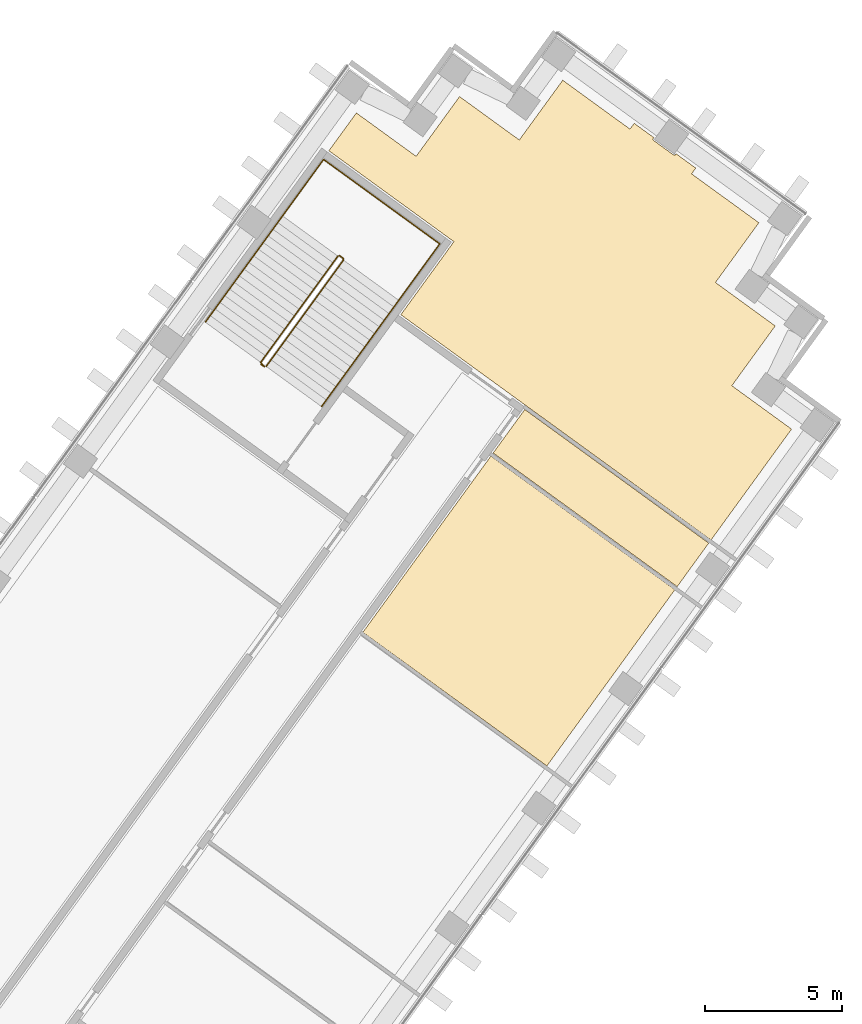
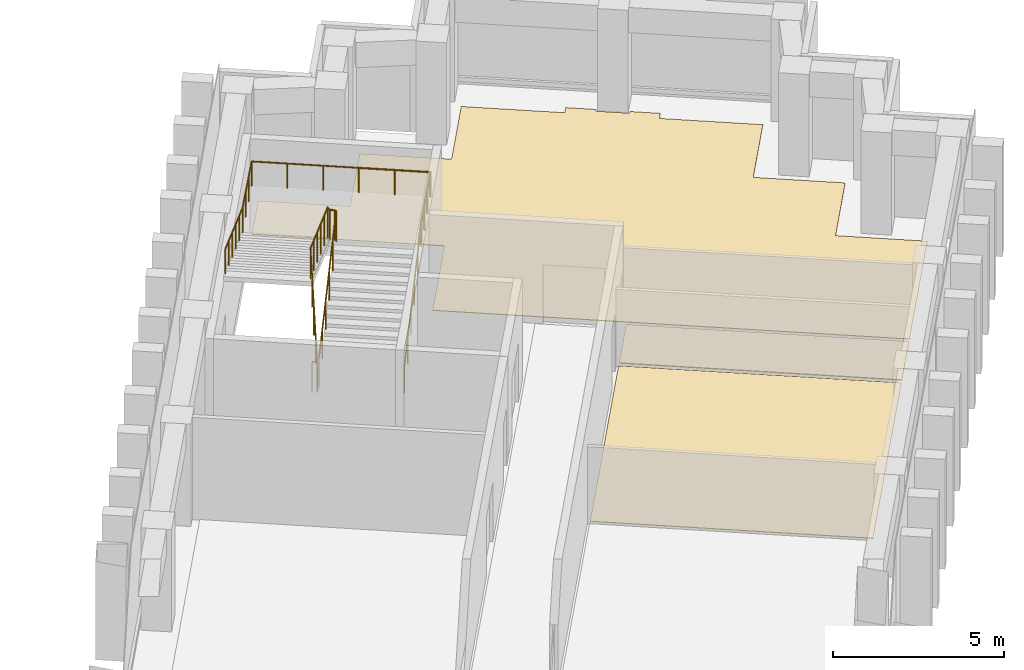
# One storey, part 13 of 13: 3 coverings, 2 railings.
"""IFC4 building model written with IfcOpenShell, lengths in metres."""

from ifc_helpers import new_model, si_unit, direction, frame, origin, origin_2d, place, context, subcontext, project, spatial, polyline, circle, outline, extrude, material, layer, layer_set, type_object, element, save


model = new_model("IFC4")

# Units and contexts
model_context = context("Model", 3, precision=1e-05, world=origin(), true_north=direction((0.0, 1.0)))
body_context = subcontext(model_context, "Body", "Model", "MODEL_VIEW")
ifc_project = project(units=[si_unit("LENGTHUNIT", "METRE"), si_unit("AREAUNIT", "SQUARE_METRE"), si_unit("VOLUMEUNIT", "CUBIC_METRE"), si_unit("PLANEANGLEUNIT", "RADIAN"), si_unit("MASSUNIT", "GRAM", prefix="KILO")], contexts=[model_context])

# Site, building, storey
site_placement = place(None, origin())
site = spatial("IfcSite", under=ifc_project, at=site_placement, CompositionType="ELEMENT")
building_placement = place(site_placement, origin())
building = spatial("IfcBuilding", under=site, at=building_placement, Name="Quipu Civic Tower", CompositionType="ELEMENT")
storey_placement = place(building_placement, frame((0.0, 0.0, 67.0)))
storey = spatial("IfcBuildingStorey", under=building, at=storey_placement, Name="L15", CompositionType="ELEMENT", Elevation=67.0)

# Coverings
ifc_material_1 = material(Name="Carpet tile on raised access floor")
ifc_layer_1 = layer(ifc_material_1, 0.02001953125)
ifc_layer_set_1 = layer_set([ifc_layer_1], Name="Carpet tile on raised access floor")
covering_type_1 = type_object("IfcCoveringType", Name="Carpet tile floor finish 20", PredefinedType="FLOORING", material=ifc_layer_set_1)
covering_1_placement = place(storey_placement, origin())
element("IfcCovering", 1, at=covering_1_placement, inside=storey, type_object=covering_type_1, Name="Carpet tile floor finish 20", PredefinedType="FLOORING", context=body_context, shape_type="SweptSolid", body=[
    extrude(outline(polyline([(37.81396484375, 21.93310546875), (42.491943359375, 28.373046875), (49.216064453125, 23.489013671875), (44.5380859375, 17.049072265625), (37.81396484375, 21.93310546875)])), origin(), (0.0, 0.0, 1.0), 0.02001953125),
])
covering_2_placement = place(storey_placement, origin())
element("IfcCovering", 2, at=covering_2_placement, inside=storey, type_object=covering_type_1, Name="Carpet tile floor finish 20", PredefinedType="FLOORING", context=body_context, shape_type="SweptSolid", body=[
    extrude(outline(polyline([(36.570068359375, 39.530029296875), (37.574951171875, 40.9130859375), (39.760009765625, 39.326904296875), (41.345947265625, 41.510986328125), (43.530029296875, 39.925048828125), (45.116943359375, 42.10791015625), (47.574951171875, 40.322021484375), (47.72900390625, 40.531982421875), (48.449951171875, 40.008056640625), (48.427001953125, 39.97705078125), (48.424072265625, 39.972900390625), (48.422119140625, 39.968017578125), (48.419921875, 39.964111328125), (48.4189453125, 39.958984375), (48.41796875, 39.9541015625), (48.4169921875, 39.948974609375), (48.4169921875, 39.944091796875), (48.41796875, 39.93994140625), (48.4189453125, 39.93505859375), (48.419921875, 39.929931640625), (48.422119140625, 39.926025390625), (48.425048828125, 39.9208984375), (48.427001953125, 39.9169921875), (48.430908203125, 39.9130859375), (48.43408203125, 39.909912109375), (48.43798828125, 39.906982421875), (49.166015625, 39.3779296875), (49.169921875, 39.375), (49.174072265625, 39.373046875), (49.178955078125, 39.37109375), (49.18408203125, 39.3701171875), (49.18896484375, 39.368896484375), (49.193115234375, 39.367919921875), (49.197998046875, 39.367919921875), (49.202880859375, 39.368896484375), (49.2080078125, 39.3701171875), (49.212890625, 39.37109375), (49.217041015625, 39.373046875), (49.220947265625, 39.3759765625), (49.22607421875, 39.3779296875), (49.22900390625, 39.382080078125), (49.23291015625, 39.385009765625), (49.236083984375, 39.388916015625), (49.259033203125, 39.4208984375), (49.97900390625, 38.89697265625), (49.826904296875, 38.68603515625), (52.284912109375, 36.90087890625), (50.698974609375, 34.717041015625), (52.883056640625, 33.12890625), (51.297119140625, 30.945068359375), (53.47998046875, 29.35791015625), (50.535888671875, 25.304931640625), (39.200927734375, 33.5390625), (41.139892578125, 36.208984375), (36.570068359375, 39.530029296875)])), origin(), (0.0, 0.0, 1.0), 0.02001953125),
])
ifc_material_2 = material(Name="Ceramic floor tile")
ifc_layer_2 = layer(ifc_material_2, 0.030029296875)
ifc_layer_set_2 = layer_set([ifc_layer_2], Name="Ceramic floor tile")
covering_type_2 = type_object("IfcCoveringType", Name="Ceramic tile floor finish 30", PredefinedType="FLOORING", material=ifc_layer_set_2)
covering_3_placement = place(storey_placement, origin())
element("IfcCovering", 3, at=covering_3_placement, inside=storey, type_object=covering_type_2, Name="Ceramic tile floor finish 30", PredefinedType="FLOORING", context=body_context, shape_type="SweptSolid", body=[
    extrude(outline(polyline([(42.574951171875, 28.486083984375), (43.72998046875, 30.075927734375), (50.452880859375, 25.19189453125), (49.299072265625, 23.60205078125), (42.574951171875, 28.486083984375)])), origin(), (0.0, 0.0, 1.0), 0.030029296875),
])

# Railings
ifc_material_3 = material(Name="Stainless steel", Category="steel")
railing_type_1 = type_object("IfcRailingType", Name="Stair guard 1100", PredefinedType="GUARDRAIL", material=ifc_material_3)
railing_1_placement = place(storey_placement, frame((34.28125, 31.650390625, 0.11767578125)))
element("IfcRailing", 4, at=railing_1_placement, inside=storey, type_object=railing_type_1, Name="Stair 7 guard", PredefinedType="GUARDRAIL", context=body_context, shape_type="SweptSolid", body=[
    extrude(circle(Radius=0.02392578125, at=origin_2d()), frame((0.0, 0.0, 1.076171875), z_axis=(0.54720100349, 0.753182689643, 0.365084781664), x_axis=(-0.809026317077, 0.587772420479, 0.0)), (0.0, 0.0, 1.0), 5.15576171875),
    extrude(circle(Radius=0.02392578125, at=origin_2d()), frame((2.8212890625, 3.88330078125, 2.95849609375), z_axis=(-0.155430446612, 0.987846838465, 0.0), x_axis=(-0.987846838465, -0.155430446612, 0.0)), (0.0, 0.0, 1.0), 0.07080078125),
    extrude(circle(Radius=0.02392578125, at=origin_2d()), frame((2.810302734375, 3.953125, 2.95849609375), z_axis=(-0.809649071907, 0.586914287065, 0.0), x_axis=(-0.586914287065, -0.809649071907, 0.0)), (0.0, 0.0, 1.0), 0.150146484375),
    extrude(circle(Radius=0.02392578125, at=origin_2d()), frame((2.688720703125, 4.041259765625, 2.95849609375), z_axis=(-0.508654480474, -0.080033047627, 0.857242865693), x_axis=(0.155430446612, -0.987846838465, 0.0)), (0.0, 0.0, 1.0), 0.13720703125),
    extrude(circle(Radius=0.02392578125, at=origin_2d()), frame((2.618896484375, 4.0302734375, 3.076171875), z_axis=(-0.54720100349, -0.753182689643, 0.365084781664), x_axis=(0.809026317077, -0.587772420479, 0.0)), (0.0, 0.0, 1.0), 5.15576171875),
    extrude(circle(Radius=0.02392578125, at=origin_2d()), frame((-0.202392578125, 0.14697265625, 4.95849609375), z_axis=(0.033037246672, -0.039437451286, -0.998675737048), x_axis=(0.766567769536, 0.642163417448, 0.0)), (0.0, 0.0, 1.0), 4.00537109375),
    extrude(circle(Radius=0.02392578125, at=origin_2d()), frame((-0.070068359375, -0.010986328125, 0.95849609375), z_axis=(-0.809087927272, 0.587687609145, 0.0), x_axis=(-0.587687609145, -0.809087927272, 0.0)), (0.0, 0.0, 1.0), 0.14990234375),
    extrude(circle(Radius=0.02099609375, at=origin_2d()), origin(), (0.0, 0.0, 1.0), 1.052001953125),
    extrude(circle(Radius=0.02099609375, at=origin_2d()), frame((0.564208984375, 0.776611328125, 0.37646484375)), (0.0, 0.0, 1.0), 1.052001953125),
    extrude(circle(Radius=0.02099609375, at=origin_2d()), frame((1.12841796875, 1.55322265625, 0.7529296875)), (0.0, 0.0, 1.0), 1.052001953125),
    extrude(circle(Radius=0.02099609375, at=origin_2d()), frame((1.69287109375, 2.330078125, 1.12939453125)), (0.0, 0.0, 1.0), 1.052001953125),
    extrude(circle(Radius=0.02099609375, at=origin_2d()), frame((2.257080078125, 3.106689453125, 1.505859375)), (0.0, 0.0, 1.0), 1.052001953125),
    extrude(circle(Radius=0.02099609375, at=origin_2d()), frame((2.8212890625, 3.88330078125, 1.88232421875)), (0.0, 0.0, 1.0), 1.052001953125),
    extrude(circle(Radius=0.02099609375, at=origin_2d()), frame((2.810302734375, 3.953125, 1.88232421875)), (0.0, 0.0, 1.0), 1.052001953125),
    extrude(circle(Radius=0.02099609375, at=origin_2d()), frame((2.688720703125, 4.041259765625, 1.88232421875)), (0.0, 0.0, 1.0), 1.052001953125),
    extrude(circle(Radius=0.02099609375, at=origin_2d()), frame((2.618896484375, 4.0302734375, 2.0)), (0.0, 0.0, 1.0), 1.052001953125),
    extrude(circle(Radius=0.02099609375, at=origin_2d()), frame((2.0546875, 3.253662109375, 2.37646484375)), (0.0, 0.0, 1.0), 1.052001953125),
    extrude(circle(Radius=0.02099609375, at=origin_2d()), frame((1.490478515625, 2.47705078125, 2.7529296875)), (0.0, 0.0, 1.0), 1.052001953125),
    extrude(circle(Radius=0.02099609375, at=origin_2d()), frame((0.926025390625, 1.7001953125, 3.12939453125)), (0.0, 0.0, 1.0), 1.052001953125),
    extrude(circle(Radius=0.02099609375, at=origin_2d()), frame((0.36181640625, 0.923583984375, 3.505859375)), (0.0, 0.0, 1.0), 1.052001953125),
    extrude(circle(Radius=0.02099609375, at=origin_2d()), frame((-0.202392578125, 0.14697265625, 3.88232421875)), (0.0, 0.0, 1.0), 1.052001953125),
    extrude(circle(Radius=0.02099609375, at=origin_2d()), frame((-0.16943359375, 0.107421875, 2.88232421875)), (0.0, 0.0, 1.0), 1.052001953125),
    extrude(circle(Radius=0.02099609375, at=origin_2d()), frame((-0.13623046875, 0.06787109375, 1.88232421875)), (0.0, 0.0, 1.0), 1.052001953125),
    extrude(circle(Radius=0.02099609375, at=origin_2d()), frame((-0.10302734375, 0.028564453125, 0.88232421875)), (0.0, 0.0, 1.0), 1.052001953125),
    extrude(circle(Radius=0.02099609375, at=origin_2d()), frame((-0.070068359375, -0.010986328125, -0.11767578125)), (0.0, 0.0, 1.0), 1.052001953125),
    extrude(circle(Radius=0.02099609375, at=origin_2d()), frame((-0.19140625, 0.0771484375, -0.11767578125)), (0.0, 0.0, 1.0), 1.052001953125),
])
ifc_material_4 = material(Name="Stainless steel", Category="steel")
railing_type_2 = type_object("IfcRailingType", Name="Stair handrail", PredefinedType="HANDRAIL", material=ifc_material_4)
railing_2_placement = place(storey_placement, frame((36.3037109375, 30.180908203125, 0.11767578125)))
element("IfcRailing", 5, at=railing_2_placement, inside=storey, type_object=railing_type_2, Name="Stair 7 handrail", PredefinedType="HANDRAIL", context=body_context, shape_type="SweptSolid", body=[
    extrude(circle(Radius=0.02392578125, at=origin_2d()), frame((0.0, 0.0, 0.8759765625), z_axis=(0.54720100349, 0.753182689643, 0.365084781664), x_axis=(-0.809026317077, 0.587772420479, 0.0)), (0.0, 0.0, 1.0), 5.15576171875),
    extrude(circle(Radius=0.02392578125, at=origin_2d()), frame((2.8212890625, 3.88330078125, 2.75830078125), z_axis=(0.587767432704, 0.809029940764, 0.0), x_axis=(-0.809029940764, 0.587767432704, 0.0)), (0.0, 0.0, 1.0), 2.550048828125),
    extrude(circle(Radius=0.02392578125, at=origin_2d()), frame((4.320068359375, 5.9462890625, 2.75830078125), z_axis=(-0.809009483706, 0.587795589702, 0.0), x_axis=(-0.587795589702, -0.809009483706, 0.0)), (0.0, 0.0, 1.0), 5.25),
    extrude(circle(Radius=0.02392578125, at=origin_2d()), frame((0.07275390625, 9.0322265625, 2.75830078125), z_axis=(-0.587142558822, -0.808169835812, 0.046099155132), x_axis=(0.809029940764, -0.587767432704, 0.0)), (0.0, 0.0, 1.0), 2.552734375),
    extrude(circle(Radius=0.02392578125, at=origin_2d()), frame((-1.426025390625, 6.96923828125, 2.8759765625), z_axis=(-0.54720100349, -0.753182689643, 0.365084781664), x_axis=(0.809026317077, -0.587772420479, 0.0)), (0.0, 0.0, 1.0), 5.15576171875),
    extrude(circle(Radius=0.02099609375, at=origin_2d()), origin(), (0.0, 0.0, 1.0), 0.851806640625),
    extrude(circle(Radius=0.02099609375, at=origin_2d()), frame((0.564208984375, 0.776611328125, 0.37646484375)), (0.0, 0.0, 1.0), 0.851806640625),
    extrude(circle(Radius=0.02099609375, at=origin_2d()), frame((1.12841796875, 1.55322265625, 0.7529296875)), (0.0, 0.0, 1.0), 0.851806640625),
    extrude(circle(Radius=0.02099609375, at=origin_2d()), frame((1.69287109375, 2.330078125, 1.12939453125)), (0.0, 0.0, 1.0), 0.851806640625),
    extrude(circle(Radius=0.02099609375, at=origin_2d()), frame((2.257080078125, 3.106689453125, 1.505859375)), (0.0, 0.0, 1.0), 0.851806640625),
    extrude(circle(Radius=0.02099609375, at=origin_2d()), frame((2.8212890625, 3.88330078125, 1.88232421875)), (0.0, 0.0, 1.0), 0.851806640625),
    extrude(circle(Radius=0.02099609375, at=origin_2d()), frame((3.32080078125, 4.571044921875, 1.88232421875)), (0.0, 0.0, 1.0), 0.851806640625),
    extrude(circle(Radius=0.02099609375, at=origin_2d()), frame((3.820556640625, 5.258544921875, 1.88232421875)), (0.0, 0.0, 1.0), 0.851806640625),
    extrude(circle(Radius=0.02099609375, at=origin_2d()), frame((4.320068359375, 5.9462890625, 1.88232421875)), (0.0, 0.0, 1.0), 0.851806640625),
    extrude(circle(Radius=0.02099609375, at=origin_2d()), frame((3.470703125, 6.5634765625, 1.88232421875)), (0.0, 0.0, 1.0), 0.851806640625),
    extrude(circle(Radius=0.02099609375, at=origin_2d()), frame((2.62109375, 7.1806640625, 1.88232421875)), (0.0, 0.0, 1.0), 0.851806640625),
    extrude(circle(Radius=0.02099609375, at=origin_2d()), frame((1.771728515625, 7.7978515625, 1.88232421875)), (0.0, 0.0, 1.0), 0.851806640625),
    extrude(circle(Radius=0.02099609375, at=origin_2d()), frame((0.922119140625, 8.4150390625, 1.88232421875)), (0.0, 0.0, 1.0), 0.851806640625),
    extrude(circle(Radius=0.02099609375, at=origin_2d()), frame((0.07275390625, 9.0322265625, 1.88232421875)), (0.0, 0.0, 1.0), 0.851806640625),
    extrude(circle(Radius=0.02099609375, at=origin_2d()), frame((-0.4267578125, 8.344482421875, 1.921630859375)), (0.0, 0.0, 1.0), 0.851806640625),
    extrude(circle(Radius=0.02099609375, at=origin_2d()), frame((-0.926513671875, 7.656982421875, 1.960693359375)), (0.0, 0.0, 1.0), 0.851806640625),
    extrude(circle(Radius=0.02099609375, at=origin_2d()), frame((-1.426025390625, 6.96923828125, 2.0)), (0.0, 0.0, 1.0), 0.851806640625),
    extrude(circle(Radius=0.02099609375, at=origin_2d()), frame((-1.990234375, 6.192626953125, 2.37646484375)), (0.0, 0.0, 1.0), 0.851806640625),
    extrude(circle(Radius=0.02099609375, at=origin_2d()), frame((-2.554443359375, 5.416015625, 2.7529296875)), (0.0, 0.0, 1.0), 0.851806640625),
    extrude(circle(Radius=0.02099609375, at=origin_2d()), frame((-3.118896484375, 4.63916015625, 3.12939453125)), (0.0, 0.0, 1.0), 0.851806640625),
    extrude(circle(Radius=0.02099609375, at=origin_2d()), frame((-3.68310546875, 3.862548828125, 3.505859375)), (0.0, 0.0, 1.0), 0.851806640625),
    extrude(circle(Radius=0.02099609375, at=origin_2d()), frame((-4.247314453125, 3.0859375, 3.88232421875)), (0.0, 0.0, 1.0), 0.851806640625),
])

save(model, "model.ifc")
